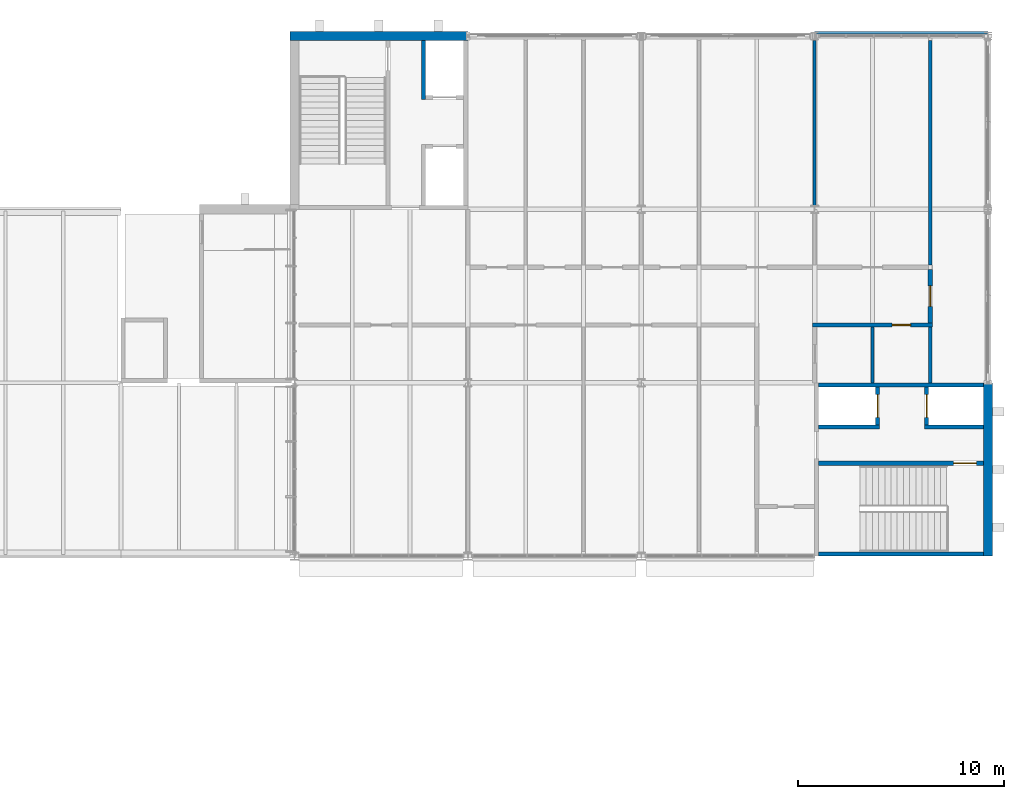
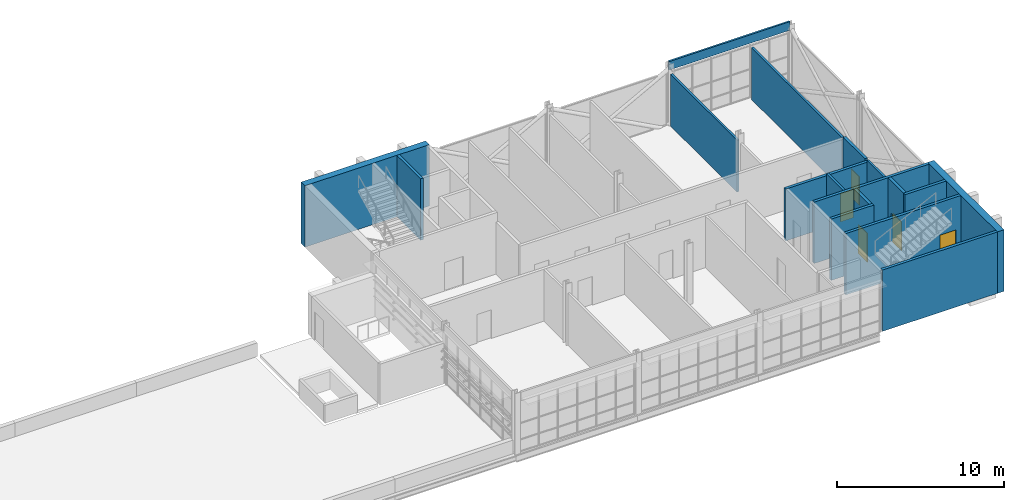
# One storey, part 24 of 29: 17 walls, 5 doors, 5 openings.
"""IFC4 building model written with IfcOpenShell, lengths in metres."""

from ifc_helpers import new_model, si_unit, direction, frame, frame_2d, origin, place, context, subcontext, project, spatial, rectangle, extrude, material, layer, layer_set, type_object, element, fill, save


model = new_model("IFC4")

# Units and contexts
model_context = context("Model", 3, precision=1e-05, world=origin(), true_north=direction((0.0, 1.0)))
body_context = subcontext(model_context, "Body", "Model", "MODEL_VIEW")
ifc_project = project(units=[si_unit("LENGTHUNIT", "METRE"), si_unit("AREAUNIT", "SQUARE_METRE"), si_unit("VOLUMEUNIT", "CUBIC_METRE"), si_unit("PLANEANGLEUNIT", "RADIAN"), si_unit("MASSUNIT", "GRAM", prefix="KILO")], contexts=[model_context])

# Site, building, storey
site_placement = place(None, origin())
site = spatial("IfcSite", under=ifc_project, at=site_placement, CompositionType="ELEMENT")
building_placement = place(site_placement, origin())
building = spatial("IfcBuilding", under=site, at=building_placement, Name="Ardhachandra Cancer Care Centre", CompositionType="ELEMENT")
storey_placement = place(building_placement, frame((0.0, 0.0, 13.5)))
storey = spatial("IfcBuildingStorey", under=building, at=storey_placement, Name="L03", CompositionType="ELEMENT", Elevation=13.5)

# Wall, opening, door
ifc_material_1 = material(Name="Gypsum board corridor partition on steel studs", Category="steel")
ifc_layer_1 = layer(ifc_material_1, 0.199951171875)
ifc_layer_set_1 = layer_set([ifc_layer_1], Name="Gypsum board corridor partition on steel studs")
wall_type_1 = type_object("IfcWallType", Name="CORRIDOR WALL 200", PredefinedType="PARTITIONING", material=ifc_layer_set_1)
wall_1_placement = place(storey_placement, frame((136.699951171875, 91.0, 0.0), z_axis=(0.0, 0.0, 1.0), x_axis=(1.0, 0.0, 0.0)))
wall_1 = element("IfcWall", 1, at=wall_1_placement, inside=storey, type_object=wall_type_1, Name="R/wall/L03/h0091000_0136700", PredefinedType="PARTITIONING", context=body_context, shape_type="SweptSolid", body=[
    extrude(rectangle(XDim=5.800048828125, YDim=0.199951171875, at=frame_2d((2.89990234375, 0.0))), origin(), (0.0, 0.0, 1.0), 3.800048828125),
])
opening_1_placement = place(wall_1_placement, frame((3.85009765625, 0.0, 0.0)))
opening_1 = element("IfcOpeningElement", 2, at=opening_1_placement, cuts=wall_1, Name="Opening L03-0013", PredefinedType="OPENING", context=body_context, shape_type="SweptSolid", body=[
    extrude(rectangle(XDim=0.89990234375, YDim=2.10009765625, at=frame_2d((0.449951171875, 1.050048828125))), frame((0.0, 0.10986328125, 0.0), z_axis=(0.0, -1.0, 0.0), x_axis=(1.0, 0.0, 0.0)), (0.0, 0.0, 1.0), 0.219970703125),
])
ifc_material_2 = material(Name="Timber fire door with smoke seals", Category="wood")
door_type_1 = type_object("IfcDoorType", Name="FIRE DOOR WC 900x2100 FD30S", OperationType="NOTDEFINED", PredefinedType="DOOR", material=ifc_material_2)
door_1_placement = place(opening_1_placement, origin())
door_1 = element("IfcDoor", 3, at=door_1_placement, inside=storey, type_object=door_type_1, Name="Door L03-0013", OperationType="SINGLE_SWING_RIGHT", OverallHeight=2.10009765625, OverallWidth=0.89990234375, PredefinedType="DOOR", context=body_context, shape_type="SweptSolid", body=[
    extrude(rectangle(XDim=0.89990234375, YDim=2.10009765625, at=frame_2d((0.449951171875, 1.050048828125))), frame((0.0, 0.02490234375, 0.0), z_axis=(0.0, -1.0, 0.0), x_axis=(1.0, 0.0, 0.0)), (0.0, 0.0, 1.0), 0.050048828125),
])
fill(opening_1, door_1)

wall_2_placement = place(storey_placement, frame((142.39990234375, 91.10009765625, 0.0), z_axis=(0.0, 0.0, 1.0), x_axis=(0.0, 1.0, 0.0)))
wall_2 = element("IfcWall", 4, at=wall_2_placement, inside=storey, type_object=wall_type_1, Name="R/wall/L03/v0142400_0091100", PredefinedType="PARTITIONING", context=body_context, shape_type="SweptSolid", body=[
    extrude(rectangle(XDim=2.599853515625, YDim=0.199951171875, at=frame_2d((1.2998046875, 0.0))), origin(), (0.0, 0.0, 1.0), 3.949951171875),
])
opening_2_placement = place(wall_2_placement, frame((0.800048828125, 0.0, 0.0)))
opening_2 = element("IfcOpeningElement", 5, at=opening_2_placement, cuts=wall_2, Name="Opening L03-0023", PredefinedType="OPENING", context=body_context, shape_type="SweptSolid", body=[
    extrude(rectangle(XDim=1.0, YDim=2.10009765625, at=frame_2d((0.5, 1.050048828125))), frame((0.0, 0.10986328125, 0.0), z_axis=(0.0, -1.0, 0.0), x_axis=(1.0, 0.0, 0.0)), (0.0, 0.0, 1.0), 0.219970703125),
])
ifc_material_3 = material(Name="Timber fire door with smoke seals", Category="wood")
door_type_2 = type_object("IfcDoorType", Name="FIRE DOOR SINGLE 1000x2100 FD30S", OperationType="NOTDEFINED", PredefinedType="DOOR", material=ifc_material_3)
door_2_placement = place(opening_2_placement, origin())
door_2 = element("IfcDoor", 6, at=door_2_placement, inside=storey, type_object=door_type_2, Name="Door L03-0023", OperationType="SINGLE_SWING_LEFT", OverallHeight=2.10009765625, OverallWidth=1.0, PredefinedType="DOOR", context=body_context, shape_type="SweptSolid", body=[
    extrude(rectangle(XDim=1.0, YDim=2.10009765625, at=frame_2d((0.5, 1.050048828125))), frame((0.0, 0.02490234375, 0.0), z_axis=(0.0, -1.0, 0.0), x_axis=(1.0, 0.0, 0.0)), (0.0, 0.0, 1.0), 0.050048828125),
])
fill(opening_2, door_2)

# Walls
ifc_material_4 = material(Name="Concrete M40", Category="concrete")
ifc_layer_2 = layer(ifc_material_4, 0.449951171875)
ifc_layer_set_2 = layer_set([ifc_layer_2], Name="Concrete M40")
wall_type_2 = type_object("IfcWallType", Name="Core exterior wall RC 450", PredefinedType="SOLIDWALL", material=ifc_layer_set_2)
wall_3_placement = place(storey_placement, frame((111.375, 105.0, 0.0), z_axis=(0.0, 0.0, 1.0), x_axis=(1.0, 0.0, 0.0)))
element("IfcWall", 7, at=wall_3_placement, inside=storey, type_object=wall_type_2, Name="Core wall K12 FAR", PredefinedType="SOLIDWALL", context=body_context, shape_type="SweptSolid", body=[
    extrude(rectangle(XDim=8.625, YDim=0.449951171875, at=frame_2d((4.3125, 0.0))), origin(), (0.0, 0.0, 1.0), 4.5),
])
wall_4_placement = place(storey_placement, frame((145.199951171875, 79.800048828125, 0.0), z_axis=(0.0, 0.0, 1.0), x_axis=(0.0, 1.0, 0.0)))
element("IfcWall", 8, at=wall_4_placement, inside=storey, type_object=wall_type_2, Name="Core wall K13 FAR", PredefinedType="SOLIDWALL", context=body_context, shape_type="SweptSolid", body=[
    extrude(rectangle(XDim=8.39990234375, YDim=0.449951171875, at=frame_2d((4.199951171875, 0.0))), origin(), (0.0, 0.0, 1.0), 4.5),
])
ifc_material_5 = material(Name="Concrete M40", Category="concrete")
ifc_layer_3 = layer(ifc_material_5, 0.199951171875)
ifc_layer_set_3 = layer_set([ifc_layer_3], Name="Concrete M40")
wall_type_3 = type_object("IfcWallType", Name="Core wall RC 200", PredefinedType="SOLIDWALL", material=ifc_layer_set_3)
wall_5_placement = place(storey_placement, frame((117.85009765625, 101.925048828125, 0.0), z_axis=(0.0, 0.0, 1.0), x_axis=(0.0, 1.0, 0.0)))
element("IfcWall", 9, at=wall_5_placement, inside=storey, type_object=wall_type_3, Name="Core wall K12 P2B", PredefinedType="SOLIDWALL", context=body_context, shape_type="SweptSolid", body=[
    extrude(rectangle(XDim=2.849853515625, YDim=0.199951171875, at=frame_2d((1.4248046875, 0.0))), origin(), (0.0, 0.0, 1.0), 4.5),
])
for number, where, z_axis, x_axis, name in (
    (10, (137.0, 79.89990234375, 0.0), (0.0, 0.0, 1.0), (1.0, 0.0, 0.0), "Core wall K13 UW"),
    (11, (137.0, 88.10009765625, 0.0), (0.0, 0.0, 1.0), (1.0, 0.0, 0.0), "Core wall K13 UE"),
):
    element("IfcWall", number, at=place(storey_placement, frame(where, z_axis=z_axis, x_axis=x_axis)), inside=storey, type_object=wall_type_3, Name=name, PredefinedType="SOLIDWALL", context=body_context, shape_type="SweptSolid", body=[
        extrude(rectangle(XDim=7.97509765625, YDim=0.199951171875, at=frame_2d((3.987548828125, 0.0))), origin(), (0.0, 0.0, 1.0), 4.5),
    ])

# Wall, opening, door
wall_6_placement = place(storey_placement, frame((137.0, 84.300048828125, 0.0), z_axis=(0.0, 0.0, 1.0), x_axis=(1.0, 0.0, 0.0)))
wall_6 = element("IfcWall", 12, at=wall_6_placement, inside=storey, type_object=wall_type_3, Name="Core wall K13 P1", PredefinedType="SOLIDWALL", context=body_context, shape_type="SweptSolid", body=[
    extrude(rectangle(XDim=7.97509765625, YDim=0.199951171875, at=frame_2d((3.987548828125, 0.0))), origin(), (0.0, 0.0, 1.0), 4.5),
])
opening_3_placement = place(wall_6_placement, frame((6.53759765625, 0.0, 0.0)))
opening_3 = element("IfcOpeningElement", 13, at=opening_3_placement, cuts=wall_6, Name="Opening L03-K13-2", PredefinedType="OPENING", context=body_context, shape_type="SweptSolid", body=[
    extrude(rectangle(XDim=1.10009765625, YDim=2.10009765625, at=frame_2d((0.550048828125, 1.050048828125))), frame((0.0, 0.10986328125, 0.0), z_axis=(0.0, -1.0, 0.0), x_axis=(1.0, 0.0, 0.0)), (0.0, 0.0, 1.0), 0.219970703125),
])
ifc_material_6 = material(Name="Steel door set", Category="steel")
door_type_3 = type_object("IfcDoorType", Name="Stair door 1100x2100 FD60S", OperationType="NOTDEFINED", PredefinedType="DOOR", material=ifc_material_6)
door_3_placement = place(opening_3_placement, origin())
door_3 = element("IfcDoor", 14, at=door_3_placement, inside=storey, type_object=door_type_3, Name="Stair door", OperationType="SINGLE_SWING_LEFT", OverallHeight=2.10009765625, OverallWidth=1.10009765625, PredefinedType="DOOR", context=body_context, shape_type="SweptSolid", body=[
    extrude(rectangle(XDim=1.10009765625, YDim=2.10009765625, at=frame_2d((0.550048828125, 1.050048828125))), frame((0.0, 0.02490234375, 0.0), z_axis=(0.0, -1.0, 0.0), x_axis=(1.0, 0.0, 0.0)), (0.0, 0.0, 1.0), 0.050048828125),
])
fill(opening_3, door_3)

# Walls
wall_7_placement = place(storey_placement, frame((137.0, 86.050048828125, 0.0), z_axis=(0.0, 0.0, 1.0), x_axis=(1.0, 0.0, 0.0)))
element("IfcWall", 15, at=wall_7_placement, inside=storey, type_object=wall_type_3, Name="Core wall K13 P2A", PredefinedType="SOLIDWALL", context=body_context, shape_type="SweptSolid", body=[
    extrude(rectangle(XDim=2.949951171875, YDim=0.199951171875, at=frame_2d((1.47509765625, 0.0))), origin(), (0.0, 0.0, 1.0), 4.5),
])
wall_8_placement = place(storey_placement, frame((142.125, 86.050048828125, 0.0), z_axis=(0.0, 0.0, 1.0), x_axis=(1.0, 0.0, 0.0)))
element("IfcWall", 16, at=wall_8_placement, inside=storey, type_object=wall_type_3, Name="Core wall K13 P2B", PredefinedType="SOLIDWALL", context=body_context, shape_type="SweptSolid", body=[
    extrude(rectangle(XDim=2.85009765625, YDim=0.199951171875, at=frame_2d((1.425048828125, 0.0))), origin(), (0.0, 0.0, 1.0), 4.5),
])

# Wall, opening, door
wall_9_placement = place(storey_placement, frame((139.85009765625, 86.14990234375, 0.0), z_axis=(0.0, 0.0, 1.0), x_axis=(0.0, 1.0, 0.0)))
wall_9 = element("IfcWall", 17, at=wall_9_placement, inside=storey, type_object=wall_type_3, Name="Core wall K13 W1", PredefinedType="SOLIDWALL", context=body_context, shape_type="SweptSolid", body=[
    extrude(rectangle(XDim=1.85009765625, YDim=0.199951171875, at=frame_2d((0.925048828125, 0.0))), origin(), (0.0, 0.0, 1.0), 4.5),
])
opening_4_placement = place(wall_9_placement, frame((0.375, 0.0, 0.0)))
opening_4 = element("IfcOpeningElement", 18, at=opening_4_placement, cuts=wall_9, Name="Opening L03-K13-3", PredefinedType="OPENING", context=body_context, shape_type="SweptSolid", body=[
    extrude(rectangle(XDim=1.10009765625, YDim=2.10009765625, at=frame_2d((0.550048828125, 1.050048828125))), frame((0.0, 0.10986328125, 0.0), z_axis=(0.0, -1.0, 0.0), x_axis=(1.0, 0.0, 0.0)), (0.0, 0.0, 1.0), 0.219970703125),
])
ifc_material_7 = material(Name="Stainless steel (grade 304)", Category="steel")
door_type_4 = type_object("IfcDoorType", Name="Lift landing door 1100x2100", OperationType="DOUBLE_DOOR_SLIDING", PredefinedType="DOOR", material=ifc_material_7)
door_4_placement = place(opening_4_placement, origin())
door_4 = element("IfcDoor", 19, at=door_4_placement, inside=storey, type_object=door_type_4, Name="Lift landing door LF-K13-1", OperationType="DOUBLE_DOOR_SLIDING", OverallHeight=2.10009765625, OverallWidth=1.10009765625, PredefinedType="DOOR", context=body_context, shape_type="SweptSolid", body=[
    extrude(rectangle(XDim=1.10009765625, YDim=2.10009765625, at=frame_2d((0.550048828125, 1.050048828125))), frame((0.0, 0.02490234375, 0.0), z_axis=(0.0, -1.0, 0.0), x_axis=(1.0, 0.0, 0.0)), (0.0, 0.0, 1.0), 0.050048828125),
])
fill(opening_4, door_4)

wall_10_placement = place(storey_placement, frame((142.22509765625, 86.14990234375, 0.0), z_axis=(0.0, 0.0, 1.0), x_axis=(0.0, 1.0, 0.0)))
wall_10 = element("IfcWall", 20, at=wall_10_placement, inside=storey, type_object=wall_type_3, Name="Core wall K13 W2", PredefinedType="SOLIDWALL", context=body_context, shape_type="SweptSolid", body=[
    extrude(rectangle(XDim=1.85009765625, YDim=0.199951171875, at=frame_2d((0.925048828125, 0.0))), origin(), (0.0, 0.0, 1.0), 4.5),
])
opening_5_placement = place(wall_10_placement, frame((0.375, 0.0, 0.0)))
opening_5 = element("IfcOpeningElement", 21, at=opening_5_placement, cuts=wall_10, Name="Opening L03-K13-4", PredefinedType="OPENING", context=body_context, shape_type="SweptSolid", body=[
    extrude(rectangle(XDim=1.10009765625, YDim=2.10009765625, at=frame_2d((0.550048828125, 1.050048828125))), frame((0.0, 0.10986328125, 0.0), z_axis=(0.0, -1.0, 0.0), x_axis=(1.0, 0.0, 0.0)), (0.0, 0.0, 1.0), 0.219970703125),
])
door_5_placement = place(opening_5_placement, origin())
door_5 = element("IfcDoor", 22, at=door_5_placement, inside=storey, type_object=door_type_4, Name="Lift landing door LF-K13-2", OperationType="DOUBLE_DOOR_SLIDING", OverallHeight=2.10009765625, OverallWidth=1.10009765625, PredefinedType="DOOR", context=body_context, shape_type="SweptSolid", body=[
    extrude(rectangle(XDim=1.10009765625, YDim=2.10009765625, at=frame_2d((0.550048828125, 1.050048828125))), frame((0.0, 0.02490234375, 0.0), z_axis=(0.0, -1.0, 0.0), x_axis=(1.0, 0.0, 0.0)), (0.0, 0.0, 1.0), 0.050048828125),
])
fill(opening_5, door_5)

# Walls
ifc_material_8 = material(Name="Precast Concrete M30 fascia panel with brick slip facing", Category="masonry")
ifc_layer_4 = layer(ifc_material_8, 0.1298828125)
ifc_layer_set_4 = layer_set([ifc_layer_4], Name="Precast Concrete M30 fascia panel with brick slip facing")
wall_type_4 = type_object("IfcWallType", Name="Edge beam fascia 130", PredefinedType="SOLIDWALL", material=ifc_layer_set_4)
wall_11_placement = place(storey_placement, frame((136.800048828125, 105.159912109375, 3.8701171875), z_axis=(0.0, 0.0, 1.0), x_axis=(1.0, 0.0, 0.0)))
element("IfcWall", 23, at=wall_11_placement, inside=storey, type_object=wall_type_4, Name="E/fascia/L03/n/0136800_0105000", PredefinedType="SOLIDWALL", context=body_context, shape_type="SweptSolid", body=[
    extrude(rectangle(XDim=8.39990234375, YDim=0.1298828125, at=frame_2d((4.199951171875, 0.0))), origin(), (0.0, 0.0, 1.0), 0.6298828125),
])
ifc_material_9 = material(Name="Gypsum board partition on steel studs", Category="steel")
ifc_layer_5 = layer(ifc_material_9, 0.14990234375)
ifc_layer_set_5 = layer_set([ifc_layer_5], Name="Gypsum board partition on steel studs")
wall_type_5 = type_object("IfcWallType", Name="PARTITION 150", PredefinedType="PARTITIONING", material=ifc_layer_set_5)
wall_12_placement = place(storey_placement, frame((136.800048828125, 96.797607421875, 0.0), z_axis=(0.0, 0.0, 1.0), x_axis=(0.0, 1.0, 0.0)))
element("IfcWall", 24, at=wall_12_placement, inside=storey, type_object=wall_type_5, Name="R/wall/L03/v0136800_0096798", PredefinedType="PARTITIONING", context=body_context, shape_type="SweptSolid", body=[
    extrude(rectangle(XDim=7.977294921875, YDim=0.14990234375, at=frame_2d((3.98876953125, 0.0))), origin(), (0.0, 0.0, 1.0), 3.800048828125),
])
wall_13_placement = place(storey_placement, frame((142.39990234375, 93.89990234375, 0.0), z_axis=(0.0, 0.0, 1.0), x_axis=(0.0, 1.0, 0.0)))
element("IfcWall", 25, at=wall_13_placement, inside=storey, type_object=wall_type_5, Name="R/wall/L03/v0142400_0093900", PredefinedType="PARTITIONING", context=body_context, shape_type="SweptSolid", body=[
    extrude(rectangle(XDim=10.875, YDim=0.14990234375, at=frame_2d((5.4375, 0.0))), origin(), (0.0, 0.0, 1.0), 3.800048828125),
])
ifc_material_10 = material(Name="Tiled gypsum board partition on steel studs", Category="steel")
ifc_layer_6 = layer(ifc_material_10, 0.14990234375)
ifc_layer_set_6 = layer_set([ifc_layer_6], Name="Tiled gypsum board partition on steel studs")
wall_type_6 = type_object("IfcWallType", Name="WET ROOM PARTITION 150", PredefinedType="PARTITIONING", material=ifc_layer_set_6)
for number, where, z_axis, x_axis, name in (
    (26, (139.60009765625, 88.199951171875, 0.0), (0.0, 0.0, 1.0), (0.0, 1.0, 0.0), "R/wall/L03/v0139600_0088200"),
    (27, (142.39990234375, 88.199951171875, 0.0), (0.0, 0.0, 1.0), (0.0, 1.0, 0.0), "R/wall/L03/v0142400_0088200"),
):
    element("IfcWall", number, at=place(storey_placement, frame(where, z_axis=z_axis, x_axis=x_axis)), inside=storey, type_object=wall_type_6, Name=name, PredefinedType="PARTITIONING", context=body_context, shape_type="SweptSolid", body=[
        extrude(rectangle(XDim=2.699951171875, YDim=0.14990234375, at=frame_2d((1.35009765625, 0.0))), origin(), (0.0, 0.0, 1.0), 3.949951171875),
    ])

save(model, "model.ifc")
